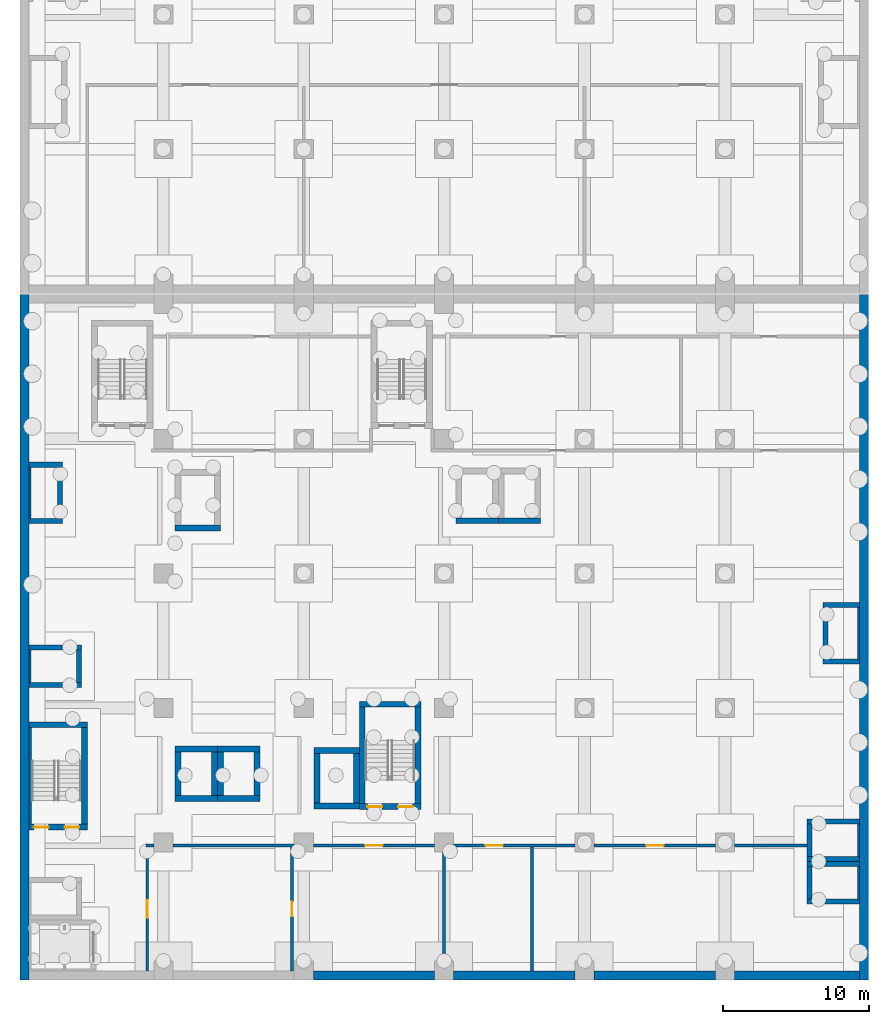
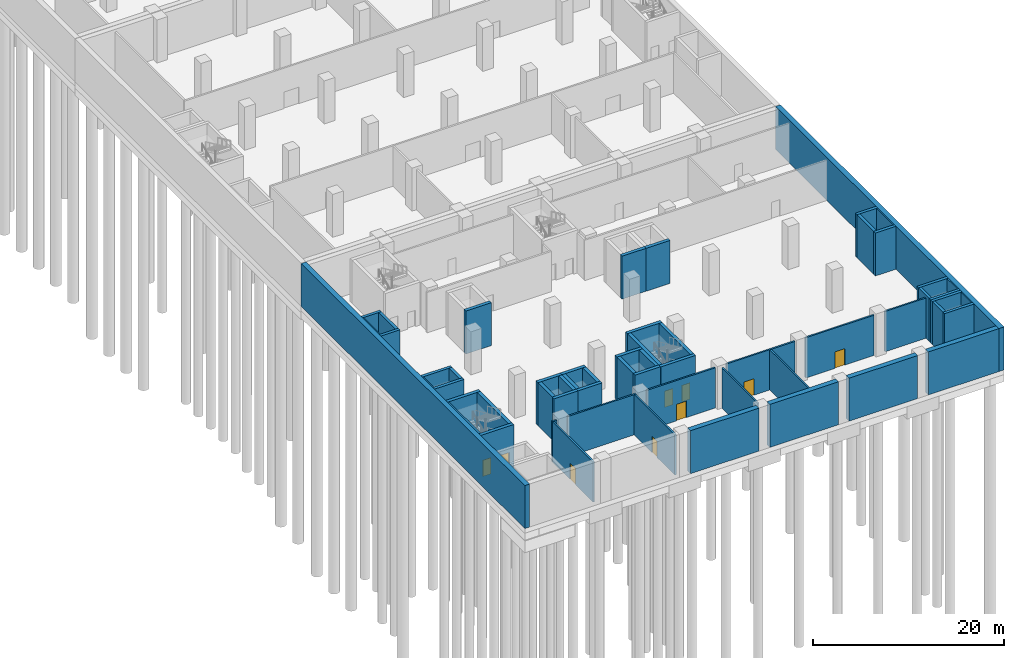
# One storey, part 10 of 33: 59 walls, 9 doors, 9 openings.
"""IFC4 building model written with IfcOpenShell, lengths in metres."""

from ifc_helpers import new_model, si_unit, direction, frame, frame_2d, origin, place, context, subcontext, project, spatial, rectangle, extrude, material, layer, layer_set, type_object, element, fill, save


model = new_model("IFC4")

# Units and contexts
model_context = context("Model", 3, precision=1e-05, world=origin(), true_north=direction((0.0, 1.0)))
body_context = subcontext(model_context, "Body", "Model", "MODEL_VIEW")
ifc_project = project(units=[si_unit("LENGTHUNIT", "METRE"), si_unit("AREAUNIT", "SQUARE_METRE"), si_unit("VOLUMEUNIT", "CUBIC_METRE"), si_unit("PLANEANGLEUNIT", "RADIAN"), si_unit("MASSUNIT", "GRAM", prefix="KILO")], contexts=[model_context])

# Site, building, storey
site_placement = place(None, origin())
site = spatial("IfcSite", under=ifc_project, at=site_placement, CompositionType="ELEMENT")
building_placement = place(site_placement, origin())
building = spatial("IfcBuilding", under=site, at=building_placement, Name="Nzadi Deep Aquarium and Research Tower", CompositionType="ELEMENT")
storey_placement = place(building_placement, frame((0.0, 0.0, -5.5)))
storey = spatial("IfcBuildingStorey", under=building, at=storey_placement, Name="B1", CompositionType="ELEMENT", Elevation=-5.5)

# Wall, opening, door
ifc_material_1 = material(Name="Blockwork masonry", Category="masonry")
ifc_layer_1 = layer(ifc_material_1, 0.199951171875)
ifc_layer_set_1 = layer_set([ifc_layer_1], Name="Blockwork masonry")
wall_type_1 = type_object("IfcWallType", Name="Partition 200 EI 120", PredefinedType="PARTITIONING", material=ifc_layer_set_1)
wall_1_placement = place(storey_placement, frame((8.5, 0.406005859375, 0.0), z_axis=(0.0, 0.0, 1.0), x_axis=(0.0, 1.0, 0.0)))
wall_1 = element("IfcWall", 1, at=wall_1_placement, inside=storey, type_object=wall_type_1, Name="W-Z1-B1-P001", PredefinedType="PARTITIONING", context=body_context, shape_type="SweptSolid", body=[
    extrude(rectangle(XDim=8.493896484375, YDim=0.199951171875, at=frame_2d((4.2470703125, 0.0))), origin(), (0.0, 0.0, 1.0), 5.14990234375),
])
opening_1_placement = place(wall_1_placement, frame((3.64697265625, 0.0, 0.0)))
opening_1 = element("IfcOpeningElement", 2, at=opening_1_placement, cuts=wall_1, Name="Opening D001001", PredefinedType="OPENING", context=body_context, shape_type="SweptSolid", body=[
    extrude(rectangle(XDim=1.199951171875, YDim=2.10009765625, at=frame_2d((0.60009765625, 1.050048828125))), frame((0.0, 0.110107421875, 0.0), z_axis=(0.0, -1.0, 0.0), x_axis=(1.0, 0.0, 0.0)), (0.0, 0.0, 1.0), 0.22021484375),
])
ifc_material_2 = material(Name="Fire-rated steel door", Category="steel")
ifc_layer_2 = layer(ifc_material_2, 0.050048828125)
ifc_layer_set_2 = layer_set([ifc_layer_2], Name="Fire-rated steel door")
door_type_1 = type_object("IfcDoorType", Name="Door 1200x2100 EI 120 single", OperationType="SINGLE_SWING_LEFT", PredefinedType="DOOR", material=ifc_layer_set_2)
door_1_placement = place(opening_1_placement, origin())
door_1 = element("IfcDoor", 3, at=door_1_placement, inside=storey, type_object=door_type_1, Name="D001001", OperationType="SINGLE_SWING_LEFT", OverallHeight=2.10009765625, OverallWidth=1.199951171875, PredefinedType="DOOR", context=body_context, shape_type="SweptSolid", body=[
    extrude(rectangle(XDim=1.199951171875, YDim=2.10009765625, at=frame_2d((0.60009765625, 1.050048828125))), frame((0.0, 0.02490234375, 0.0), z_axis=(0.0, -1.0, 0.0), x_axis=(1.0, 0.0, 0.0)), (0.0, 0.0, 1.0), 0.050048828125),
])
fill(opening_1, door_1)

# Walls
wall_2_placement = place(storey_placement, frame((8.39990234375, 9.0, 0.0), z_axis=(0.0, 0.0, 1.0), x_axis=(1.0, 0.0, 0.0)))
element("IfcWall", 4, at=wall_2_placement, inside=storey, type_object=wall_type_1, Name="W-Z1-B1-P002", PredefinedType="PARTITIONING", context=body_context, shape_type="SweptSolid", body=[
    extrude(rectangle(XDim=0.550048828125, YDim=0.199951171875, at=frame_2d((0.27490234375, 0.0))), origin(), (0.0, 0.0, 1.0), 5.14990234375),
])
wall_3_placement = place(storey_placement, frame((10.25, 9.0, 0.0), z_axis=(0.0, 0.0, 1.0), x_axis=(1.0, 0.0, 0.0)))
element("IfcWall", 5, at=wall_3_placement, inside=storey, type_object=wall_type_1, Name="W-Z1-B1-P005", PredefinedType="PARTITIONING", context=body_context, shape_type="SweptSolid", body=[
    extrude(rectangle(XDim=8.300048828125, YDim=0.199951171875, at=frame_2d((4.14990234375, 0.0))), origin(), (0.0, 0.0, 1.0), 5.14990234375),
])

# Wall, opening, door
wall_4_placement = place(storey_placement, frame((18.39990234375, 0.406005859375, 0.0), z_axis=(0.0, 0.0, 1.0), x_axis=(0.0, 1.0, 0.0)))
wall_4 = element("IfcWall", 6, at=wall_4_placement, inside=storey, type_object=wall_type_1, Name="W-Z1-B1-P006", PredefinedType="PARTITIONING", context=body_context, shape_type="SweptSolid", body=[
    extrude(rectangle(XDim=8.493896484375, YDim=0.199951171875, at=frame_2d((4.2470703125, 0.0))), origin(), (0.0, 0.0, 1.0), 5.14990234375),
])
opening_2_placement = place(wall_4_placement, frame((3.7470703125, 0.0, 0.0)))
opening_2 = element("IfcOpeningElement", 7, at=opening_2_placement, cuts=wall_4, Name="Opening D001011", PredefinedType="OPENING", context=body_context, shape_type="SweptSolid", body=[
    extrude(rectangle(XDim=1.0, YDim=2.10009765625, at=frame_2d((0.5, 1.050048828125))), frame((0.0, 0.110107421875, 0.0), z_axis=(0.0, -1.0, 0.0), x_axis=(1.0, 0.0, 0.0)), (0.0, 0.0, 1.0), 0.22021484375),
])
ifc_material_3 = material(Name="Fire-rated steel door", Category="steel")
ifc_layer_3 = layer(ifc_material_3, 0.050048828125)
ifc_layer_set_3 = layer_set([ifc_layer_3], Name="Fire-rated steel door")
door_type_2 = type_object("IfcDoorType", Name="Door 1000x2100 EI 120 single", OperationType="SINGLE_SWING_LEFT", PredefinedType="DOOR", material=ifc_layer_set_3)
door_2_placement = place(opening_2_placement, origin())
door_2 = element("IfcDoor", 8, at=door_2_placement, inside=storey, type_object=door_type_2, Name="D001011", OperationType="SINGLE_SWING_LEFT", OverallHeight=2.10009765625, OverallWidth=1.0, PredefinedType="DOOR", context=body_context, shape_type="SweptSolid", body=[
    extrude(rectangle(XDim=1.0, YDim=2.10009765625, at=frame_2d((0.5, 1.050048828125))), frame((0.0, 0.02490234375, 0.0), z_axis=(0.0, -1.0, 0.0), x_axis=(1.0, 0.0, 0.0)), (0.0, 0.0, 1.0), 0.050048828125),
])
fill(opening_2, door_2)

wall_5_placement = place(storey_placement, frame((19.85009765625, 9.0, 0.0), z_axis=(0.0, 0.0, 1.0), x_axis=(1.0, 0.0, 0.0)))
wall_5 = element("IfcWall", 9, at=wall_5_placement, inside=storey, type_object=wall_type_1, Name="W-Z1-B1-P007", PredefinedType="PARTITIONING", context=body_context, shape_type="SweptSolid", body=[
    extrude(rectangle(XDim=8.2998046875, YDim=0.199951171875, at=frame_2d((4.14990234375, 0.0))), origin(), (0.0, 0.0, 1.0), 5.14990234375),
])
opening_3_placement = place(wall_5_placement, frame((3.550048828125, 0.0, 0.0)))
opening_3 = element("IfcOpeningElement", 10, at=opening_3_placement, cuts=wall_5, Name="Opening D001002", PredefinedType="OPENING", context=body_context, shape_type="SweptSolid", body=[
    extrude(rectangle(XDim=1.199951171875, YDim=2.10009765625, at=frame_2d((0.60009765625, 1.050048828125))), frame((0.0, 0.110107421875, 0.0), z_axis=(0.0, -1.0, 0.0), x_axis=(1.0, 0.0, 0.0)), (0.0, 0.0, 1.0), 0.22021484375),
])
door_3_placement = place(opening_3_placement, origin())
door_3 = element("IfcDoor", 11, at=door_3_placement, inside=storey, type_object=door_type_1, Name="D001002", OperationType="SINGLE_SWING_LEFT", OverallHeight=2.10009765625, OverallWidth=1.199951171875, PredefinedType="DOOR", context=body_context, shape_type="SweptSolid", body=[
    extrude(rectangle(XDim=1.199951171875, YDim=2.10009765625, at=frame_2d((0.60009765625, 1.050048828125))), frame((0.0, 0.02490234375, 0.0), z_axis=(0.0, -1.0, 0.0), x_axis=(1.0, 0.0, 0.0)), (0.0, 0.0, 1.0), 0.050048828125),
])
fill(opening_3, door_3)

# Wall
wall_6_placement = place(storey_placement, frame((28.800048828125, 1.10009765625, 0.0), z_axis=(0.0, 0.0, 1.0), x_axis=(0.0, 1.0, 0.0)))
element("IfcWall", 12, at=wall_6_placement, inside=storey, type_object=wall_type_1, Name="W-Z1-B1-P012", PredefinedType="PARTITIONING", context=body_context, shape_type="SweptSolid", body=[
    extrude(rectangle(XDim=7.449951171875, YDim=0.199951171875, at=frame_2d((3.72509765625, 0.0))), origin(), (0.0, 0.0, 1.0), 5.14990234375),
])

# Wall, opening, door
wall_7_placement = place(storey_placement, frame((29.449951171875, 9.0, 0.0), z_axis=(0.0, 0.0, 1.0), x_axis=(1.0, 0.0, 0.0)))
wall_7 = element("IfcWall", 13, at=wall_7_placement, inside=storey, type_object=wall_type_1, Name="W-Z1-B1-P013", PredefinedType="PARTITIONING", context=body_context, shape_type="SweptSolid", body=[
    extrude(rectangle(XDim=8.300048828125, YDim=0.199951171875, at=frame_2d((4.14990234375, 0.0))), origin(), (0.0, 0.0, 1.0), 5.14990234375),
])
opening_4_placement = place(wall_7_placement, frame((2.159912109375, 0.0, 0.0)))
opening_4 = element("IfcOpeningElement", 14, at=opening_4_placement, cuts=wall_7, Name="Opening D001003", PredefinedType="OPENING", context=body_context, shape_type="SweptSolid", body=[
    extrude(rectangle(XDim=1.199951171875, YDim=2.10009765625, at=frame_2d((0.60009765625, 1.050048828125))), frame((0.0, 0.110107421875, 0.0), z_axis=(0.0, -1.0, 0.0), x_axis=(1.0, 0.0, 0.0)), (0.0, 0.0, 1.0), 0.22021484375),
])
door_4_placement = place(opening_4_placement, origin())
door_4 = element("IfcDoor", 15, at=door_4_placement, inside=storey, type_object=door_type_1, Name="D001003", OperationType="SINGLE_SWING_RIGHT", OverallHeight=2.10009765625, OverallWidth=1.199951171875, PredefinedType="DOOR", context=body_context, shape_type="SweptSolid", body=[
    extrude(rectangle(XDim=1.199951171875, YDim=2.10009765625, at=frame_2d((0.60009765625, 1.050048828125))), frame((0.0, 0.02490234375, 0.0), z_axis=(0.0, -1.0, 0.0), x_axis=(1.0, 0.0, 0.0)), (0.0, 0.0, 1.0), 0.050048828125),
])
fill(opening_4, door_4)

# Wall
wall_8_placement = place(storey_placement, frame((34.800048828125, 0.406005859375, 0.0), z_axis=(0.0, 0.0, 1.0), x_axis=(0.0, 1.0, 0.0)))
element("IfcWall", 16, at=wall_8_placement, inside=storey, type_object=wall_type_1, Name="W-Z1-B1-P014", PredefinedType="PARTITIONING", context=body_context, shape_type="SweptSolid", body=[
    extrude(rectangle(XDim=8.493896484375, YDim=0.199951171875, at=frame_2d((4.2470703125, 0.0))), origin(), (0.0, 0.0, 1.0), 5.14990234375),
])

# Wall, opening, door
wall_9_placement = place(storey_placement, frame((39.050048828125, 9.0, 0.0), z_axis=(0.0, 0.0, 1.0), x_axis=(1.0, 0.0, 0.0)))
wall_9 = element("IfcWall", 17, at=wall_9_placement, inside=storey, type_object=wall_type_1, Name="W-Z1-B1-P015", PredefinedType="PARTITIONING", context=body_context, shape_type="SweptSolid", body=[
    extrude(rectangle(XDim=8.300048828125, YDim=0.199951171875, at=frame_2d((4.14990234375, 0.0))), origin(), (0.0, 0.0, 1.0), 5.14990234375),
])
opening_5_placement = place(wall_9_placement, frame((3.550048828125, 0.0, 0.0)))
opening_5 = element("IfcOpeningElement", 18, at=opening_5_placement, cuts=wall_9, Name="Opening D001004", PredefinedType="OPENING", context=body_context, shape_type="SweptSolid", body=[
    extrude(rectangle(XDim=1.199951171875, YDim=2.10009765625, at=frame_2d((0.60009765625, 1.050048828125))), frame((0.0, 0.110107421875, 0.0), z_axis=(0.0, -1.0, 0.0), x_axis=(1.0, 0.0, 0.0)), (0.0, 0.0, 1.0), 0.22021484375),
])
door_5_placement = place(opening_5_placement, origin())
door_5 = element("IfcDoor", 19, at=door_5_placement, inside=storey, type_object=door_type_1, Name="D001004", OperationType="SINGLE_SWING_RIGHT", OverallHeight=2.10009765625, OverallWidth=1.199951171875, PredefinedType="DOOR", context=body_context, shape_type="SweptSolid", body=[
    extrude(rectangle(XDim=1.199951171875, YDim=2.10009765625, at=frame_2d((0.60009765625, 1.050048828125))), frame((0.0, 0.02490234375, 0.0), z_axis=(0.0, -1.0, 0.0), x_axis=(1.0, 0.0, 0.0)), (0.0, 0.0, 1.0), 0.050048828125),
])
fill(opening_5, door_5)

# Walls
wall_10_placement = place(storey_placement, frame((48.64990234375, 9.0, 0.0), z_axis=(0.0, 0.0, 1.0), x_axis=(1.0, 0.0, 0.0)))
element("IfcWall", 20, at=wall_10_placement, inside=storey, type_object=wall_type_1, Name="W-Z1-B1-P017", PredefinedType="PARTITIONING", context=body_context, shape_type="SweptSolid", body=[
    extrude(rectangle(XDim=4.944091796875, YDim=0.199951171875, at=frame_2d((2.47216796875, 0.0))), origin(), (0.0, 0.0, 1.0), 5.14990234375),
])
ifc_material_4 = material(Name="Concrete C35/45", Category="concrete")
ifc_layer_4 = layer(ifc_material_4, 0.14990234375)
ifc_layer_set_4 = layer_set([ifc_layer_4], Name="Concrete C35/45")
wall_type_2 = type_object("IfcWallType", Name="RC core wall 150", PredefinedType="SHEAR", material=ifc_layer_set_4)
wall_11_placement = place(storey_placement, frame((0.47509765625, 20.14990234375, 0.0), z_axis=(0.0, 0.0, 1.0), x_axis=(0.0, 1.0, 0.0)))
element("IfcWall", 21, at=wall_11_placement, inside=storey, type_object=wall_type_2, Name="W-CORE-PL1-B1-W", PredefinedType="SHEAR", context=body_context, shape_type="SweptSolid", body=[
    extrude(rectangle(XDim=2.2001953125, YDim=0.14990234375, at=frame_2d((1.10009765625, 0.0))), origin(), (0.0, 0.0, 1.0), 5.5),
])
for number, where, z_axis, x_axis, name in (
    (22, (57.125, 5.35009765625, 0.0), (0.0, 0.0, 1.0), (0.0, 1.0, 0.0), "W-CORE-EL2-B1-E"),
    (23, (57.125, 8.25, 0.0), (0.0, 0.0, 1.0), (0.0, 1.0, 0.0), "W-CORE-PL2-B1-E"),
):
    element("IfcWall", number, at=place(storey_placement, frame(where, z_axis=z_axis, x_axis=x_axis)), inside=storey, type_object=wall_type_2, Name=name, PredefinedType="SHEAR", context=body_context, shape_type="SweptSolid", body=[
        extrude(rectangle(XDim=2.199951171875, YDim=0.14990234375, at=frame_2d((1.10009765625, 0.0))), origin(), (0.0, 0.0, 1.0), 5.5),
    ])
for number, where, z_axis, x_axis, name in (
    (24, (0.47509765625, 31.35009765625, 0.0), (0.0, 0.0, 1.0), (0.0, 1.0, 0.0), "W-CORE-RS-Z1-W-B1-W"),
    (25, (57.125, 21.75, 0.0), (0.0, 0.0, 1.0), (0.0, 1.0, 0.0), "W-CORE-RS-Z1-E-B1-E"),
):
    element("IfcWall", number, at=place(storey_placement, frame(where, z_axis=z_axis, x_axis=x_axis)), inside=storey, type_object=wall_type_2, Name=name, PredefinedType="SHEAR", context=body_context, shape_type="SweptSolid", body=[
        extrude(rectangle(XDim=3.5, YDim=0.14990234375, at=frame_2d((1.75, 0.0))), origin(), (0.0, 0.0, 1.0), 5.5),
    ])
ifc_material_5 = material(Name="Concrete C35/45", Category="concrete")
ifc_layer_5 = layer(ifc_material_5, 0.199951171875)
ifc_layer_set_5 = layer_set([ifc_layer_5], Name="Concrete C35/45")
wall_type_3 = type_object("IfcWallType", Name="RC core wall 200", PredefinedType="SHEAR", material=ifc_layer_set_5)
wall_12_placement = place(storey_placement, frame((0.5, 10.449951171875, 0.0), z_axis=(0.0, 0.0, 1.0), x_axis=(0.0, 1.0, 0.0)))
element("IfcWall", 26, at=wall_12_placement, inside=storey, type_object=wall_type_3, Name="W-CORE-ST-Z1-SW-B1-W", PredefinedType="SHEAR", context=body_context, shape_type="SweptSolid", body=[
    extrude(rectangle(XDim=6.60009765625, YDim=0.199951171875, at=frame_2d((3.300048828125, 0.0))), origin(), (0.0, 0.0, 1.0), 5.5),
])
ifc_material_6 = material(Name="Concrete C35/45", Category="concrete")
ifc_layer_6 = layer(ifc_material_6, 0.35009765625)
ifc_layer_set_6 = layer_set([ifc_layer_6], Name="Concrete C35/45")
wall_type_4 = type_object("IfcWallType", Name="RC core wall 350, 5.50 to 6.50 m high", PredefinedType="SHEAR", material=ifc_layer_set_6)
for number, where, z_axis, x_axis, name in (
    (27, (0.39990234375, 19.97509765625, 0.0), (0.0, 0.0, 1.0), (1.0, 0.0, 0.0), "W-CORE-PL1-B1-S"),
    (28, (0.39990234375, 22.52490234375, 0.0), (0.0, 0.0, 1.0), (1.0, 0.0, 0.0), "W-CORE-PL1-B1-N"),
):
    element("IfcWall", number, at=place(storey_placement, frame(where, z_axis=z_axis, x_axis=x_axis)), inside=storey, type_object=wall_type_4, Name=name, PredefinedType="SHEAR", context=body_context, shape_type="SweptSolid", body=[
        extrude(rectangle(XDim=3.60009765625, YDim=0.35009765625, at=frame_2d((1.800048828125, 0.0))), origin(), (0.0, 0.0, 1.0), 5.5),
    ])
wall_13_placement = place(storey_placement, frame((3.824951171875, 20.14990234375, 0.0), z_axis=(0.0, 0.0, 1.0), x_axis=(0.0, 1.0, 0.0)))
element("IfcWall", 29, at=wall_13_placement, inside=storey, type_object=wall_type_4, Name="W-CORE-PL1-B1-E", PredefinedType="SHEAR", context=body_context, shape_type="SweptSolid", body=[
    extrude(rectangle(XDim=2.2001953125, YDim=0.35009765625, at=frame_2d((1.10009765625, 0.0))), origin(), (0.0, 0.0, 1.0), 5.5),
])
for number, where, z_axis, x_axis, name in (
    (30, (53.60009765625, 5.175048828125, 0.0), (0.0, 0.0, 1.0), (1.0, 0.0, 0.0), "W-CORE-EL2-B1-S"),
    (31, (53.60009765625, 7.72509765625, 0.0), (0.0, 0.0, 1.0), (1.0, 0.0, 0.0), "W-CORE-EL2-B1-N"),
):
    element("IfcWall", number, at=place(storey_placement, frame(where, z_axis=z_axis, x_axis=x_axis)), inside=storey, type_object=wall_type_4, Name=name, PredefinedType="SHEAR", context=body_context, shape_type="SweptSolid", body=[
        extrude(rectangle(XDim=3.599853515625, YDim=0.35009765625, at=frame_2d((1.7998046875, 0.0))), origin(), (0.0, 0.0, 1.0), 5.5),
    ])
wall_14_placement = place(storey_placement, frame((53.77490234375, 5.35009765625, 0.0), z_axis=(0.0, 0.0, 1.0), x_axis=(0.0, 1.0, 0.0)))
element("IfcWall", 32, at=wall_14_placement, inside=storey, type_object=wall_type_4, Name="W-CORE-EL2-B1-W", PredefinedType="SHEAR", context=body_context, shape_type="SweptSolid", body=[
    extrude(rectangle(XDim=2.199951171875, YDim=0.35009765625, at=frame_2d((1.10009765625, 0.0))), origin(), (0.0, 0.0, 1.0), 5.5),
])
for number, where, z_axis, x_axis, name in (
    (33, (53.60009765625, 8.074951171875, 0.0), (0.0, 0.0, 1.0), (1.0, 0.0, 0.0), "W-CORE-PL2-B1-S"),
    (34, (53.60009765625, 10.625, 0.0), (0.0, 0.0, 1.0), (1.0, 0.0, 0.0), "W-CORE-PL2-B1-N"),
):
    element("IfcWall", number, at=place(storey_placement, frame(where, z_axis=z_axis, x_axis=x_axis)), inside=storey, type_object=wall_type_4, Name=name, PredefinedType="SHEAR", context=body_context, shape_type="SweptSolid", body=[
        extrude(rectangle(XDim=3.599853515625, YDim=0.35009765625, at=frame_2d((1.7998046875, 0.0))), origin(), (0.0, 0.0, 1.0), 5.5),
    ])
wall_15_placement = place(storey_placement, frame((53.77490234375, 8.25, 0.0), z_axis=(0.0, 0.0, 1.0), x_axis=(0.0, 1.0, 0.0)))
element("IfcWall", 35, at=wall_15_placement, inside=storey, type_object=wall_type_4, Name="W-CORE-PL2-B1-W", PredefinedType="SHEAR", context=body_context, shape_type="SweptSolid", body=[
    extrude(rectangle(XDim=2.199951171875, YDim=0.35009765625, at=frame_2d((1.10009765625, 0.0))), origin(), (0.0, 0.0, 1.0), 5.5),
])
for number, where, z_axis, x_axis, name in (
    (36, (0.39990234375, 31.175048828125, 0.0), (0.0, 0.0, 1.0), (1.0, 0.0, 0.0), "W-CORE-RS-Z1-W-B1-S"),
    (37, (0.39990234375, 35.02490234375, 0.0), (0.0, 0.0, 1.0), (1.0, 0.0, 0.0), "W-CORE-RS-Z1-W-B1-N"),
):
    element("IfcWall", number, at=place(storey_placement, frame(where, z_axis=z_axis, x_axis=x_axis)), inside=storey, type_object=wall_type_4, Name=name, PredefinedType="SHEAR", context=body_context, shape_type="SweptSolid", body=[
        extrude(rectangle(XDim=2.300048828125, YDim=0.35009765625, at=frame_2d((1.14990234375, 0.0))), origin(), (0.0, 0.0, 1.0), 5.5),
    ])
wall_16_placement = place(storey_placement, frame((2.52490234375, 31.35009765625, 0.0), z_axis=(0.0, 0.0, 1.0), x_axis=(0.0, 1.0, 0.0)))
element("IfcWall", 38, at=wall_16_placement, inside=storey, type_object=wall_type_4, Name="W-CORE-RS-Z1-W-B1-E", PredefinedType="SHEAR", context=body_context, shape_type="SweptSolid", body=[
    extrude(rectangle(XDim=3.5, YDim=0.35009765625, at=frame_2d((1.75, 0.0))), origin(), (0.0, 0.0, 1.0), 5.5),
])
for number, where, z_axis, x_axis, name in (
    (39, (54.699951171875, 21.574951171875, 0.0), (0.0, 0.0, 1.0), (1.0, 0.0, 0.0), "W-CORE-RS-Z1-E-B1-S"),
    (40, (54.699951171875, 25.425048828125, 0.0), (0.0, 0.0, 1.0), (1.0, 0.0, 0.0), "W-CORE-RS-Z1-E-B1-N"),
):
    element("IfcWall", number, at=place(storey_placement, frame(where, z_axis=z_axis, x_axis=x_axis)), inside=storey, type_object=wall_type_4, Name=name, PredefinedType="SHEAR", context=body_context, shape_type="SweptSolid", body=[
        extrude(rectangle(XDim=2.5, YDim=0.35009765625, at=frame_2d((1.25, 0.0))), origin(), (0.0, 0.0, 1.0), 5.5),
    ])
wall_17_placement = place(storey_placement, frame((54.875, 21.75, 0.0), z_axis=(0.0, 0.0, 1.0), x_axis=(0.0, 1.0, 0.0)))
element("IfcWall", 41, at=wall_17_placement, inside=storey, type_object=wall_type_4, Name="W-CORE-RS-Z1-E-B1-W", PredefinedType="SHEAR", context=body_context, shape_type="SweptSolid", body=[
    extrude(rectangle(XDim=3.5, YDim=0.35009765625, at=frame_2d((1.75, 0.0))), origin(), (0.0, 0.0, 1.0), 5.5),
])

# Wall, openings, doors
ifc_material_7 = material(Name="Concrete C35/45", Category="concrete")
ifc_layer_7 = layer(ifc_material_7, 0.39990234375)
ifc_layer_set_7 = layer_set([ifc_layer_7], Name="Concrete C35/45")
wall_type_5 = type_object("IfcWallType", Name="RC core wall 400, 5.50 to 6.50 m high", PredefinedType="SHEAR", material=ifc_layer_set_7)
wall_18_placement = place(storey_placement, frame((0.39990234375, 10.25, 0.0), z_axis=(0.0, 0.0, 1.0), x_axis=(1.0, 0.0, 0.0)))
wall_18 = element("IfcWall", 42, at=wall_18_placement, inside=storey, type_object=wall_type_5, Name="W-CORE-ST-Z1-SW-B1-S", PredefinedType="SHEAR", context=body_context, shape_type="SweptSolid", body=[
    extrude(rectangle(XDim=4.0, YDim=0.39990234375, at=frame_2d((2.0, 0.0))), origin(), (0.0, 0.0, 1.0), 5.5),
])
opening_6_placement = place(wall_18_placement, frame((0.35009765625, 0.0, 0.0)))
opening_6 = element("IfcOpeningElement", 43, at=opening_6_placement, cuts=wall_18, Name="Opening DS-Z1-SW-B1A", PredefinedType="OPENING", context=body_context, shape_type="SweptSolid", body=[
    extrude(rectangle(XDim=1.0, YDim=2.10009765625, at=frame_2d((0.5, 1.050048828125))), frame((0.0, 0.2099609375, 0.0), z_axis=(0.0, -1.0, 0.0), x_axis=(1.0, 0.0, 0.0)), (0.0, 0.0, 1.0), 0.419921875),
])
opening_7_placement = place(wall_18_placement, frame((2.449951171875, 0.0, 0.0)))
opening_7 = element("IfcOpeningElement", 44, at=opening_7_placement, cuts=wall_18, Name="Opening DS-Z1-SW-B1B", PredefinedType="OPENING", context=body_context, shape_type="SweptSolid", body=[
    extrude(rectangle(XDim=1.0, YDim=2.10009765625, at=frame_2d((0.5, 1.050048828125))), frame((0.0, 0.2099609375, 0.0), z_axis=(0.0, -1.0, 0.0), x_axis=(1.0, 0.0, 0.0)), (0.0, 0.0, 1.0), 0.419921875),
])
ifc_material_8 = material(Name="Steel, powder coated", Category="steel")
door_type_3 = type_object("IfcDoorType", Name="STAIR DOOR 1000x2100 EI 60", OperationType="SINGLE_SWING_LEFT", PredefinedType="DOOR", material=ifc_material_8)
door_6_placement = place(opening_6_placement, origin())
door_6 = element("IfcDoor", 45, at=door_6_placement, inside=storey, type_object=door_type_3, Name="Stair door ST-Z1-SW B1 A", OperationType="SINGLE_SWING_RIGHT", OverallHeight=2.10009765625, OverallWidth=1.0, PredefinedType="DOOR", context=body_context, shape_type="SweptSolid", body=[
    extrude(rectangle(XDim=1.0, YDim=2.10009765625, at=frame_2d((0.5, 1.050048828125))), frame((0.0, 0.02490234375, 0.0), z_axis=(0.0, -1.0, 0.0), x_axis=(1.0, 0.0, 0.0)), (0.0, 0.0, 1.0), 0.050048828125),
])
fill(opening_6, door_6)
door_7_placement = place(opening_7_placement, origin())
door_7 = element("IfcDoor", 46, at=door_7_placement, inside=storey, type_object=door_type_3, Name="Stair door ST-Z1-SW B1 B", OperationType="SINGLE_SWING_LEFT", OverallHeight=2.10009765625, OverallWidth=1.0, PredefinedType="DOOR", context=body_context, shape_type="SweptSolid", body=[
    extrude(rectangle(XDim=1.0, YDim=2.10009765625, at=frame_2d((0.5, 1.050048828125))), frame((0.0, 0.02490234375, 0.0), z_axis=(0.0, -1.0, 0.0), x_axis=(1.0, 0.0, 0.0)), (0.0, 0.0, 1.0), 0.050048828125),
])
fill(opening_7, door_7)

# Walls
wall_19_placement = place(storey_placement, frame((0.39990234375, 17.25, 0.0), z_axis=(0.0, 0.0, 1.0), x_axis=(1.0, 0.0, 0.0)))
element("IfcWall", 47, at=wall_19_placement, inside=storey, type_object=wall_type_5, Name="W-CORE-ST-Z1-SW-B1-N", PredefinedType="SHEAR", context=body_context, shape_type="SweptSolid", body=[
    extrude(rectangle(XDim=4.0, YDim=0.39990234375, at=frame_2d((2.0, 0.0))), origin(), (0.0, 0.0, 1.0), 5.5),
])
wall_20_placement = place(storey_placement, frame((4.199951171875, 10.449951171875, 0.0), z_axis=(0.0, 0.0, 1.0), x_axis=(0.0, 1.0, 0.0)))
element("IfcWall", 48, at=wall_20_placement, inside=storey, type_object=wall_type_5, Name="W-CORE-ST-Z1-SW-B1-E", PredefinedType="SHEAR", context=body_context, shape_type="SweptSolid", body=[
    extrude(rectangle(XDim=6.60009765625, YDim=0.39990234375, at=frame_2d((3.300048828125, 0.0))), origin(), (0.0, 0.0, 1.0), 5.5),
])

# Wall, openings, doors
wall_21_placement = place(storey_placement, frame((23.0, 11.64990234375, 0.0), z_axis=(0.0, 0.0, 1.0), x_axis=(1.0, 0.0, 0.0)))
wall_21 = element("IfcWall", 49, at=wall_21_placement, inside=storey, type_object=wall_type_5, Name="W-CORE-ST-Z1-SE-B1-S", PredefinedType="SHEAR", context=body_context, shape_type="SweptSolid", body=[
    extrude(rectangle(XDim=4.199951171875, YDim=0.39990234375, at=frame_2d((2.10009765625, 0.0))), origin(), (0.0, 0.0, 1.0), 5.5),
])
opening_8_placement = place(wall_21_placement, frame((0.550048828125, 0.0, 0.0)))
opening_8 = element("IfcOpeningElement", 50, at=opening_8_placement, cuts=wall_21, Name="Opening DS-Z1-SE-B1A", PredefinedType="OPENING", context=body_context, shape_type="SweptSolid", body=[
    extrude(rectangle(XDim=1.0, YDim=2.10009765625, at=frame_2d((0.5, 1.050048828125))), frame((0.0, 0.2099609375, 0.0), z_axis=(0.0, -1.0, 0.0), x_axis=(1.0, 0.0, 0.0)), (0.0, 0.0, 1.0), 0.419921875),
])
opening_9_placement = place(wall_21_placement, frame((2.64990234375, 0.0, 0.0)))
opening_9 = element("IfcOpeningElement", 51, at=opening_9_placement, cuts=wall_21, Name="Opening DS-Z1-SE-B1B", PredefinedType="OPENING", context=body_context, shape_type="SweptSolid", body=[
    extrude(rectangle(XDim=1.0, YDim=2.10009765625, at=frame_2d((0.5, 1.050048828125))), frame((0.0, 0.2099609375, 0.0), z_axis=(0.0, -1.0, 0.0), x_axis=(1.0, 0.0, 0.0)), (0.0, 0.0, 1.0), 0.419921875),
])
door_8_placement = place(opening_8_placement, origin())
door_8 = element("IfcDoor", 52, at=door_8_placement, inside=storey, type_object=door_type_3, Name="Stair door ST-Z1-SE B1 A", OperationType="SINGLE_SWING_RIGHT", OverallHeight=2.10009765625, OverallWidth=1.0, PredefinedType="DOOR", context=body_context, shape_type="SweptSolid", body=[
    extrude(rectangle(XDim=1.0, YDim=2.10009765625, at=frame_2d((0.5, 1.050048828125))), frame((0.0, 0.02490234375, 0.0), z_axis=(0.0, -1.0, 0.0), x_axis=(1.0, 0.0, 0.0)), (0.0, 0.0, 1.0), 0.050048828125),
])
fill(opening_8, door_8)
door_9_placement = place(opening_9_placement, origin())
door_9 = element("IfcDoor", 53, at=door_9_placement, inside=storey, type_object=door_type_3, Name="Stair door ST-Z1-SE B1 B", OperationType="SINGLE_SWING_LEFT", OverallHeight=2.10009765625, OverallWidth=1.0, PredefinedType="DOOR", context=body_context, shape_type="SweptSolid", body=[
    extrude(rectangle(XDim=1.0, YDim=2.10009765625, at=frame_2d((0.5, 1.050048828125))), frame((0.0, 0.02490234375, 0.0), z_axis=(0.0, -1.0, 0.0), x_axis=(1.0, 0.0, 0.0)), (0.0, 0.0, 1.0), 0.050048828125),
])
fill(opening_9, door_9)

# Walls
wall_22_placement = place(storey_placement, frame((23.0, 18.64990234375, 0.0), z_axis=(0.0, 0.0, 1.0), x_axis=(1.0, 0.0, 0.0)))
element("IfcWall", 54, at=wall_22_placement, inside=storey, type_object=wall_type_5, Name="W-CORE-ST-Z1-SE-B1-N", PredefinedType="SHEAR", context=body_context, shape_type="SweptSolid", body=[
    extrude(rectangle(XDim=4.199951171875, YDim=0.39990234375, at=frame_2d((2.10009765625, 0.0))), origin(), (0.0, 0.0, 1.0), 5.5),
])
for number, where, z_axis, x_axis, name in (
    (55, (23.199951171875, 11.85009765625, 0.0), (0.0, 0.0, 1.0), (0.0, 1.0, 0.0), "W-CORE-ST-Z1-SE-B1-W"),
    (56, (27.0, 11.85009765625, 0.0), (0.0, 0.0, 1.0), (0.0, 1.0, 0.0), "W-CORE-ST-Z1-SE-B1-E"),
):
    element("IfcWall", number, at=place(storey_placement, frame(where, z_axis=z_axis, x_axis=x_axis)), inside=storey, type_object=wall_type_5, Name=name, PredefinedType="SHEAR", context=body_context, shape_type="SweptSolid", body=[
        extrude(rectangle(XDim=6.599853515625, YDim=0.39990234375, at=frame_2d((3.2998046875, 0.0))), origin(), (0.0, 0.0, 1.0), 5.5),
    ])
for number, where, z_axis, x_axis, name in (
    (57, (10.39990234375, 12.199951171875, 0.0), (0.0, 0.0, 1.0), (1.0, 0.0, 0.0), "W-CORE-TL1-B1-S"),
    (58, (10.39990234375, 15.60009765625, 0.0), (0.0, 0.0, 1.0), (1.0, 0.0, 0.0), "W-CORE-TL1-B1-N"),
):
    element("IfcWall", number, at=place(storey_placement, frame(where, z_axis=z_axis, x_axis=x_axis)), inside=storey, type_object=wall_type_5, Name=name, PredefinedType="SHEAR", context=body_context, shape_type="SweptSolid", body=[
        extrude(rectangle(XDim=2.900146484375, YDim=0.39990234375, at=frame_2d((1.4501953125, 0.0))), origin(), (0.0, 0.0, 1.0), 5.5),
    ])
for number, where, z_axis, x_axis, name in (
    (59, (10.60009765625, 12.39990234375, 0.0), (0.0, 0.0, 1.0), (0.0, 1.0, 0.0), "W-CORE-TL1-B1-W"),
    (60, (13.10009765625, 12.39990234375, 0.0), (0.0, 0.0, 1.0), (0.0, 1.0, 0.0), "W-CORE-TL1-B1-E"),
):
    element("IfcWall", number, at=place(storey_placement, frame(where, z_axis=z_axis, x_axis=x_axis)), inside=storey, type_object=wall_type_5, Name=name, PredefinedType="SHEAR", context=body_context, shape_type="SweptSolid", body=[
        extrude(rectangle(XDim=3.0, YDim=0.39990234375, at=frame_2d((1.5, 0.0))), origin(), (0.0, 0.0, 1.0), 5.5),
    ])
for number, where, z_axis, x_axis, name in (
    (61, (13.300048828125, 12.199951171875, 0.0), (0.0, 0.0, 1.0), (1.0, 0.0, 0.0), "W-CORE-TL2-B1-S"),
    (62, (13.300048828125, 15.60009765625, 0.0), (0.0, 0.0, 1.0), (1.0, 0.0, 0.0), "W-CORE-TL2-B1-N"),
):
    element("IfcWall", number, at=place(storey_placement, frame(where, z_axis=z_axis, x_axis=x_axis)), inside=storey, type_object=wall_type_5, Name=name, PredefinedType="SHEAR", context=body_context, shape_type="SweptSolid", body=[
        extrude(rectangle(XDim=2.89990234375, YDim=0.39990234375, at=frame_2d((1.449951171875, 0.0))), origin(), (0.0, 0.0, 1.0), 5.5),
    ])
for number, where, z_axis, x_axis, name in (
    (63, (13.5, 12.39990234375, 0.0), (0.0, 0.0, 1.0), (0.0, 1.0, 0.0), "W-CORE-TL2-B1-W"),
    (64, (16.0, 12.39990234375, 0.0), (0.0, 0.0, 1.0), (0.0, 1.0, 0.0), "W-CORE-TL2-B1-E"),
):
    element("IfcWall", number, at=place(storey_placement, frame(where, z_axis=z_axis, x_axis=x_axis)), inside=storey, type_object=wall_type_5, Name=name, PredefinedType="SHEAR", context=body_context, shape_type="SweptSolid", body=[
        extrude(rectangle(XDim=3.0, YDim=0.39990234375, at=frame_2d((1.5, 0.0))), origin(), (0.0, 0.0, 1.0), 5.5),
    ])
for number, where, z_axis, x_axis, name in (
    (65, (19.89990234375, 11.699951171875, 0.0), (0.0, 0.0, 1.0), (1.0, 0.0, 0.0), "W-CORE-FL1-B1-S"),
    (66, (19.89990234375, 15.5, 0.0), (0.0, 0.0, 1.0), (1.0, 0.0, 0.0), "W-CORE-FL1-B1-N"),
):
    element("IfcWall", number, at=place(storey_placement, frame(where, z_axis=z_axis, x_axis=x_axis)), inside=storey, type_object=wall_type_5, Name=name, PredefinedType="SHEAR", context=body_context, shape_type="SweptSolid", body=[
        extrude(rectangle(XDim=3.10009765625, YDim=0.39990234375, at=frame_2d((1.550048828125, 0.0))), origin(), (0.0, 0.0, 1.0), 5.5),
    ])
for number, where, z_axis, x_axis, name in (
    (67, (20.10009765625, 11.89990234375, 0.0), (0.0, 0.0, 1.0), (0.0, 1.0, 0.0), "W-CORE-FL1-B1-W"),
    (68, (22.800048828125, 11.89990234375, 0.0), (0.0, 0.0, 1.0), (0.0, 1.0, 0.0), "W-CORE-FL1-B1-E"),
):
    element("IfcWall", number, at=place(storey_placement, frame(where, z_axis=z_axis, x_axis=x_axis)), inside=storey, type_object=wall_type_5, Name=name, PredefinedType="SHEAR", context=body_context, shape_type="SweptSolid", body=[
        extrude(rectangle(XDim=3.400146484375, YDim=0.39990234375, at=frame_2d((1.7001953125, 0.0))), origin(), (0.0, 0.0, 1.0), 5.5),
    ])
wall_23_placement = place(storey_placement, frame((10.39990234375, 30.699951171875, 0.0), z_axis=(0.0, 0.0, 1.0), x_axis=(1.0, 0.0, 0.0)))
element("IfcWall", 69, at=wall_23_placement, inside=storey, type_object=wall_type_5, Name="W-CORE-FL2-B1-S", PredefinedType="SHEAR", context=body_context, shape_type="SweptSolid", body=[
    extrude(rectangle(XDim=3.10009765625, YDim=0.39990234375, at=frame_2d((1.550048828125, 0.0))), origin(), (0.0, 0.0, 1.0), 5.5),
])
for number, where, z_axis, x_axis, name in (
    (70, (29.60009765625, 31.199951171875, 0.0), (0.0, 0.0, 1.0), (1.0, 0.0, 0.0), "W-CORE-TL3-B1-S"),
    (71, (32.5, 31.199951171875, 0.0), (0.0, 0.0, 1.0), (1.0, 0.0, 0.0), "W-CORE-TL4-B1-S"),
):
    element("IfcWall", number, at=place(storey_placement, frame(where, z_axis=z_axis, x_axis=x_axis)), inside=storey, type_object=wall_type_5, Name=name, PredefinedType="SHEAR", context=body_context, shape_type="SweptSolid", body=[
        extrude(rectangle(XDim=2.89990234375, YDim=0.39990234375, at=frame_2d((1.449951171875, 0.0))), origin(), (0.0, 0.0, 1.0), 5.5),
    ])
ifc_material_9 = material(Name="Concrete C40/50", Category="concrete")
ifc_layer_8 = layer(ifc_material_9, 0.60009765625)
ifc_layer_set_8 = layer_set([ifc_layer_8], Name="Concrete C40/50")
wall_type_6 = type_object("IfcWallType", Name="RC retaining wall 600 C40/50", PredefinedType="SOLIDWALL", material=ifc_layer_set_8)
for number, where, z_axis, x_axis, name in (
    (72, (0.1005859375, -0.199951171875, 0.0), (0.0, 0.0, 1.0), (0.0, 1.0, 0.0), "W-RET-Z1-W"),
    (73, (57.49951171875, -0.199951171875, 0.0), (0.0, 0.0, 1.0), (0.0, 1.0, 0.0), "W-RET-Z1-E"),
):
    element("IfcWall", number, at=place(storey_placement, frame(where, z_axis=z_axis, x_axis=x_axis)), inside=storey, type_object=wall_type_6, Name=name, PredefinedType="SOLIDWALL", context=body_context, shape_type="SweptSolid", body=[
        extrude(rectangle(XDim=46.8798828125, YDim=0.60009765625, at=frame_2d((23.43994140625, 0.0))), origin(), (0.0, 0.0, 1.0), 5.5),
    ])
wall_24_placement = place(storey_placement, frame((19.85009765625, 0.10009765625, 0.0), z_axis=(0.0, 0.0, 1.0), x_axis=(1.0, 0.0, 0.0)))
element("IfcWall", 74, at=wall_24_placement, inside=storey, type_object=wall_type_6, Name="W-RET-Z1-S-3", PredefinedType="SOLIDWALL", context=body_context, shape_type="SweptSolid", body=[
    extrude(rectangle(XDim=8.2998046875, YDim=0.60009765625, at=frame_2d((4.14990234375, 0.0))), origin(), (0.0, 0.0, 1.0), 5.5),
])
for number, where, z_axis, x_axis, name in (
    (75, (29.449951171875, 0.10009765625, 0.0), (0.0, 0.0, 1.0), (1.0, 0.0, 0.0), "W-RET-Z1-S-4"),
    (76, (39.050048828125, 0.10009765625, 0.0), (0.0, 0.0, 1.0), (1.0, 0.0, 0.0), "W-RET-Z1-S-5"),
):
    element("IfcWall", number, at=place(storey_placement, frame(where, z_axis=z_axis, x_axis=x_axis)), inside=storey, type_object=wall_type_6, Name=name, PredefinedType="SOLIDWALL", context=body_context, shape_type="SweptSolid", body=[
        extrude(rectangle(XDim=8.300048828125, YDim=0.60009765625, at=frame_2d((4.14990234375, 0.0))), origin(), (0.0, 0.0, 1.0), 5.5),
    ])
wall_25_placement = place(storey_placement, frame((48.64990234375, 0.10009765625, 0.0), z_axis=(0.0, 0.0, 1.0), x_axis=(1.0, 0.0, 0.0)))
element("IfcWall", 77, at=wall_25_placement, inside=storey, type_object=wall_type_6, Name="W-RET-Z1-S-6", PredefinedType="SOLIDWALL", context=body_context, shape_type="SweptSolid", body=[
    extrude(rectangle(XDim=8.550048828125, YDim=0.60009765625, at=frame_2d((4.27490234375, 0.0))), origin(), (0.0, 0.0, 1.0), 5.5),
])

save(model, "model.ifc")
